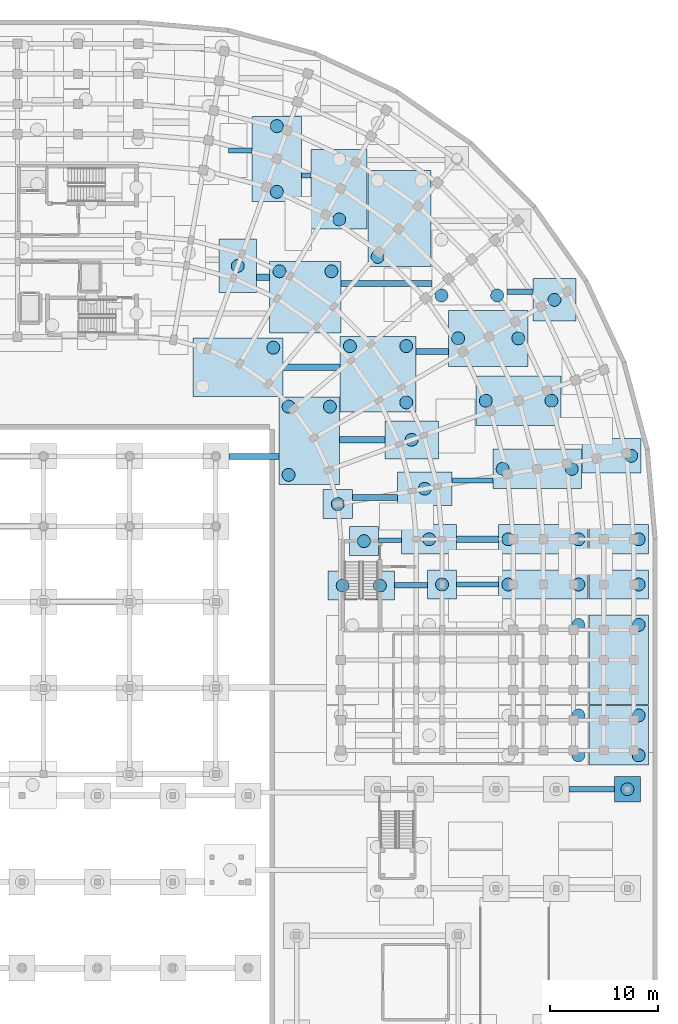
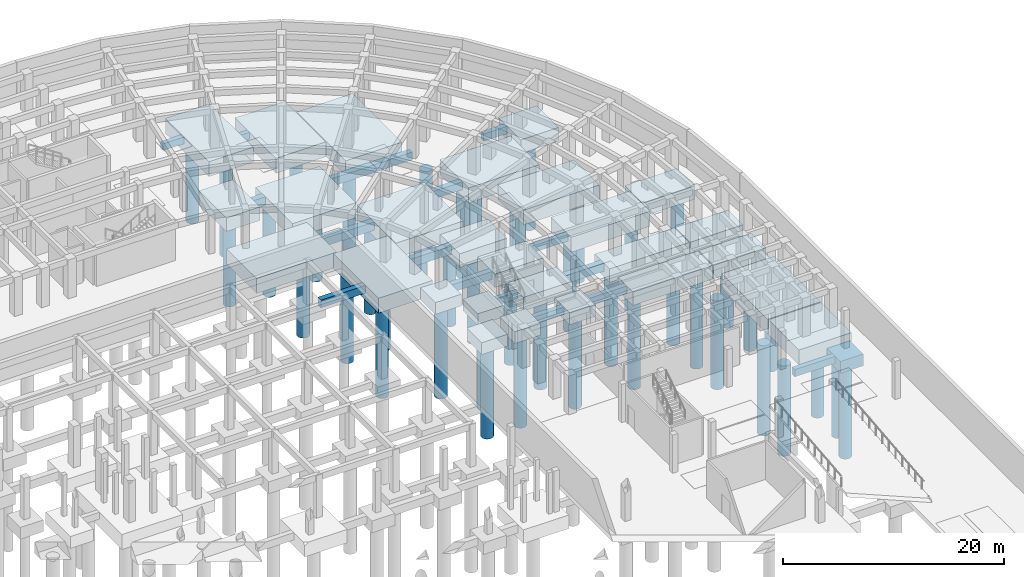
# One storey, part 11 of 53: 45 piles, 44 footings.
"""IFC4 building model written with IfcOpenShell, lengths in metres."""

from ifc_helpers import new_model, si_unit, direction, frame, origin, origin_2d, place, context, subcontext, project, spatial, rectangle, circle, extrude, material, material_profile, profile_set, type_object, element, save


model = new_model("IFC4")

# Units and contexts
model_context = context("Model", 3, precision=1e-05, world=origin(), true_north=direction((0.0, 1.0)))
body_context = subcontext(model_context, "Body", "Model", "MODEL_VIEW")
ifc_project = project(units=[si_unit("LENGTHUNIT", "METRE"), si_unit("AREAUNIT", "SQUARE_METRE"), si_unit("VOLUMEUNIT", "CUBIC_METRE"), si_unit("PLANEANGLEUNIT", "RADIAN"), si_unit("MASSUNIT", "GRAM", prefix="KILO")], contexts=[model_context])

# Site, building, storey
site_placement = place(None, origin())
site = spatial("IfcSite", under=ifc_project, at=site_placement, CompositionType="ELEMENT")
building_placement = place(site_placement, origin())
building = spatial("IfcBuilding", under=site, at=building_placement, Name="Kiranvali Square Residences", CompositionType="ELEMENT")
storey_placement = place(building_placement, frame((0.0, 0.0, -4.5)))
storey = spatial("IfcBuildingStorey", under=building, at=storey_placement, Name="B1", CompositionType="ELEMENT", Elevation=-4.5)

# Footings
ifc_material = material(Name="Concrete M40 (40 MPa)", Category="concrete")
footing_type_1 = type_object("IfcFootingType", Name="FTG-PILE_CAP-240x240x130", PredefinedType="PILE_CAP", material=ifc_material)
footing_1_placement = place(storey_placement, frame((165.199951171875, 64.60009765625, -1.7998046875), z_axis=(0.0, 0.0, 1.0), x_axis=(1.0, 0.0, 0.0)))
element("IfcFooting", 1, at=footing_1_placement, inside=storey, type_object=footing_type_1, Name="B1 pile cap 169", PredefinedType="PILE_CAP", context=body_context, shape_type="SweptSolid", body=[
    extrude(rectangle(XDim=2.39990234375, YDim=2.39990234375, at=origin_2d()), origin(), (0.0, 0.0, 1.0), 1.300048828125),
])
footing_type_2 = type_object("IfcFootingType", Name="FTG-PILE_CAP-270x270x130", PredefinedType="PILE_CAP", material=ifc_material)
for number, where, z_axis, x_axis, name in (
    (2, (138.77490234375, 83.5, -1.7998046875), (0.0, 0.0, 1.0), (1.0, 0.0, 0.0), "B1 pile cap 216"),
    (3, (142.22509765625, 83.5, -1.7998046875), (0.0, 0.0, 1.0), (1.0, 0.0, 0.0), "B1 pile cap 217"),
    (4, (148.0, 83.60009765625, -1.7998046875), (0.0, 0.0, 1.0), (1.0, 0.0, 0.0), "B1 pile cap 223"),
    (5, (140.75, 87.625, -1.7998046875), (0.0, 0.0, 1.0), (1.0, 0.0, 0.0), "B1 pile cap 230"),
    (6, (138.31396484375, 91.06494140625, -1.7998046875), (0.0, 0.0, 1.0), (1.0, 0.0, 0.0), "B1 pile cap 249"),
):
    element("IfcFooting", number, at=place(storey_placement, frame(where, z_axis=z_axis, x_axis=x_axis)), inside=storey, type_object=footing_type_2, Name=name, PredefinedType="PILE_CAP", context=body_context, shape_type="SweptSolid", body=[
        extrude(rectangle(XDim=2.699951171875, YDim=2.699951171875, at=origin_2d()), origin(), (0.0, 0.0, 1.0), 1.300048828125),
    ])
footing_type_3 = type_object("IfcFootingType", Name="FTG-PILE_CAP-395x395x150", PredefinedType="PILE_CAP", material=ifc_material)
footing_2_placement = place(storey_placement, frame((158.43310546875, 110.02490234375, -2.0), z_axis=(0.0, 0.0, 1.0), x_axis=(1.0, 0.0, 0.0)))
element("IfcFooting", 7, at=footing_2_placement, inside=storey, type_object=footing_type_3, Name="B1 pile cap 297", PredefinedType="PILE_CAP", context=body_context, shape_type="SweptSolid", body=[
    extrude(rectangle(XDim=3.949951171875, YDim=3.949951171875, at=origin_2d()), origin(), (0.0, 0.0, 1.0), 1.5),
])
footing_type_4 = type_object("IfcFootingType", Name="FTG-PILE_CAP-496x352x150", PredefinedType="PILE_CAP", material=ifc_material)
for number, where, z_axis, x_axis, name in (
    (8, (145.17138671875, 97.034423828125, -2.0), (0.0, 0.0, 1.0), (1.0, 0.0, 0.0), "B1 pile cap 270"),
    (9, (129.034423828125, 113.17138671875, -2.0), (0.0, 0.0, 1.0), (0.0, 1.0, 0.0), "B1 pile cap 303"),
):
    element("IfcFooting", number, at=place(storey_placement, frame(where, z_axis=z_axis, x_axis=x_axis)), inside=storey, type_object=footing_type_4, Name=name, PredefinedType="PILE_CAP", context=body_context, shape_type="SweptSolid", body=[
        extrude(rectangle(XDim=4.955078125, YDim=3.52099609375, at=origin_2d()), origin(), (0.0, 0.0, 1.0), 1.5),
    ])
footing_type_5 = type_object("IfcFootingType", Name="FTG-PILE_CAP-506x312x150", PredefinedType="PILE_CAP", material=ifc_material)
footing_3_placement = place(storey_placement, frame((146.389892578125, 92.488525390625, -2.0), z_axis=(0.0, 0.0, 1.0), x_axis=(1.0, 0.0, 0.0)))
element("IfcFooting", 10, at=footing_3_placement, inside=storey, type_object=footing_type_5, Name="B1 pile cap 251", PredefinedType="PILE_CAP", context=body_context, shape_type="SweptSolid", body=[
    extrude(rectangle(XDim=5.06396484375, YDim=3.116943359375, at=origin_2d()), origin(), (0.0, 0.0, 1.0), 1.5),
])
footing_type_6 = type_object("IfcFootingType", Name="FTG-PILE_CAP-510x270x150", PredefinedType="PILE_CAP", material=ifc_material)
footing_4_placement = place(storey_placement, frame((146.800048828125, 87.800048828125, -2.0), z_axis=(0.0, 0.0, 1.0), x_axis=(1.0, 0.0, 0.0)))
element("IfcFooting", 11, at=footing_4_placement, inside=storey, type_object=footing_type_6, Name="B1 pile cap 234", PredefinedType="PILE_CAP", context=body_context, shape_type="SweptSolid", body=[
    extrude(rectangle(XDim=5.10009765625, YDim=2.699951171875, at=origin_2d()), origin(), (0.0, 0.0, 1.0), 1.5),
])
footing_type_7 = type_object("IfcFootingType", Name="FTG-PILE_CAP-546x319x150", PredefinedType="PILE_CAP", material=ifc_material)
footing_5_placement = place(storey_placement, frame((163.722412109375, 95.544921875, -2.0), z_axis=(0.0, 0.0, 1.0), x_axis=(1.0, 0.0, 0.0)))
element("IfcFooting", 12, at=footing_5_placement, inside=storey, type_object=footing_type_7, Name="B1 pile cap 257", PredefinedType="PILE_CAP", context=body_context, shape_type="SweptSolid", body=[
    extrude(rectangle(XDim=5.45703125, YDim=3.18603515625, at=origin_2d()), origin(), (0.0, 0.0, 1.0), 1.5),
])
footing_type_8 = type_object("IfcFootingType", Name="FTG-PILE_CAP-550x270x150", PredefinedType="PILE_CAP", material=ifc_material)
for number, where, z_axis, x_axis, name in (
    (13, (164.39990234375, 83.60009765625, -2.0), (0.0, 0.0, 1.0), (1.0, 0.0, 0.0), "B1 pile cap 225"),
    (14, (164.39990234375, 87.800048828125, -2.0), (0.0, 0.0, 1.0), (1.0, 0.0, 0.0), "B1 pile cap 236"),
):
    element("IfcFooting", number, at=place(storey_placement, frame(where, z_axis=z_axis, x_axis=x_axis)), inside=storey, type_object=footing_type_8, Name=name, PredefinedType="PILE_CAP", context=body_context, shape_type="SweptSolid", body=[
        extrude(rectangle(XDim=5.5, YDim=2.699951171875, at=origin_2d()), origin(), (0.0, 0.0, 1.0), 1.5),
    ])
footing_type_9 = type_object("IfcFootingType", Name="FTG-PILE_CAP-550x550x165", PredefinedType="PILE_CAP", material=ifc_material)
footing_6_placement = place(storey_placement, frame((164.39990234375, 69.60009765625, -2.14990234375), z_axis=(0.0, 0.0, 1.0), x_axis=(1.0, 0.0, 0.0)))
element("IfcFooting", 15, at=footing_6_placement, inside=storey, type_object=footing_type_9, Name="B1 pile cap 178", PredefinedType="PILE_CAP", context=body_context, shape_type="SweptSolid", body=[
    extrude(rectangle(XDim=5.5, YDim=5.5, at=origin_2d()), origin(), (0.0, 0.0, 1.0), 1.64990234375),
])
footing_type_10 = type_object("IfcFootingType", Name="FTG-PILE_CAP-663x663x165", PredefinedType="PILE_CAP", material=ifc_material)
footing_7_placement = place(storey_placement, frame((135.3134765625, 110.256591796875, -2.14990234375), z_axis=(0.0, 0.0, 1.0), x_axis=(1.0, 0.0, 0.0)))
element("IfcFooting", 16, at=footing_7_placement, inside=storey, type_object=footing_type_10, Name="B1 pile cap 293", PredefinedType="PILE_CAP", context=body_context, shape_type="SweptSolid", body=[
    extrude(rectangle(XDim=6.631103515625, YDim=6.631103515625, at=origin_2d()), origin(), (0.0, 0.0, 1.0), 1.64990234375),
])
footing_type_11 = type_object("IfcFootingType", Name="FTG-PILE_CAP-703x703x165", PredefinedType="PILE_CAP", material=ifc_material)
footing_8_placement = place(storey_placement, frame((142.05859375, 103.115478515625, -2.14990234375), z_axis=(0.0, 0.0, 1.0), x_axis=(1.0, 0.0, 0.0)))
element("IfcFooting", 17, at=footing_8_placement, inside=storey, type_object=footing_type_11, Name="B1 pile cap 274", PredefinedType="PILE_CAP", context=body_context, shape_type="SweptSolid", body=[
    extrude(rectangle(XDim=7.027099609375, YDim=7.027099609375, at=origin_2d()), origin(), (0.0, 0.0, 1.0), 1.64990234375),
])
footing_type_12 = type_object("IfcFootingType", Name="FTG-PILE_CAP-738x520x165", PredefinedType="PILE_CAP", material=ifc_material)
footing_9_placement = place(storey_placement, frame((152.279052734375, 106.451904296875, -2.14990234375), z_axis=(0.0, 0.0, 1.0), x_axis=(1.0, 0.0, 0.0)))
element("IfcFooting", 18, at=footing_9_placement, inside=storey, type_object=footing_type_12, Name="B1 pile cap 285", PredefinedType="PILE_CAP", context=body_context, shape_type="SweptSolid", body=[
    extrude(rectangle(XDim=7.382080078125, YDim=5.2041015625, at=origin_2d()), origin(), (0.0, 0.0, 1.0), 1.64990234375),
])
footing_10_placement = place(storey_placement, frame((138.451904296875, 120.278564453125, -2.14990234375), z_axis=(0.0, 0.0, 1.0), x_axis=(0.0, 1.0, 0.0)))
element("IfcFooting", 19, at=footing_10_placement, inside=storey, type_object=footing_type_12, Name="B1 pile cap 320", PredefinedType="PILE_CAP", context=body_context, shape_type="SweptSolid", body=[
    extrude(rectangle(XDim=7.381103515625, YDim=5.2041015625, at=origin_2d()), origin(), (0.0, 0.0, 1.0), 1.64990234375),
])
footing_type_13 = type_object("IfcFootingType", Name="FTG-PILE_CAP-790x462x165", PredefinedType="PILE_CAP", material=ifc_material)
for number, where, z_axis, x_axis, name in (
    (20, (155.10009765625, 100.659912109375, -2.14990234375), (0.0, 0.0, 1.0), (1.0, 0.0, 0.0), "B1 pile cap 272"),
    (21, (132.659912109375, 123.10009765625, -2.14990234375), (0.0, 0.0, 1.0), (0.0, 1.0, 0.0), "B1 pile cap 326"),
):
    element("IfcFooting", number, at=place(storey_placement, frame(where, z_axis=z_axis, x_axis=x_axis)), inside=storey, type_object=footing_type_13, Name=name, PredefinedType="PILE_CAP", context=body_context, shape_type="SweptSolid", body=[
        extrude(rectangle(XDim=7.89794921875, YDim=4.615966796875, at=origin_2d()), origin(), (0.0, 0.0, 1.0), 1.64990234375),
    ])
footing_type_14 = type_object("IfcFootingType", Name="FTG-PILE_CAP-813x563x165", PredefinedType="PILE_CAP", material=ifc_material)
footing_11_placement = place(storey_placement, frame((135.66845703125, 96.946533203125, -2.14990234375), z_axis=(0.0, 0.0, 1.0), x_axis=(0.0, 1.0, 0.0)))
element("IfcFooting", 22, at=footing_11_placement, inside=storey, type_object=footing_type_14, Name="B1 pile cap 255", PredefinedType="PILE_CAP", context=body_context, shape_type="SweptSolid", body=[
    extrude(rectangle(XDim=8.133056640625, YDim=5.633056640625, at=origin_2d()), origin(), (0.0, 0.0, 1.0), 1.64990234375),
])
footing_type_15 = type_object("IfcFootingType", Name="FTG-PILE_CAP-821x367x165", PredefinedType="PILE_CAP", material=ifc_material)
footing_12_placement = place(storey_placement, frame((156.82861328125, 94.3291015625, -2.14990234375), z_axis=(0.0, 0.0, 1.0), x_axis=(1.0, 0.0, 0.0)))
element("IfcFooting", 23, at=footing_12_placement, inside=storey, type_object=footing_type_15, Name="B1 pile cap 253", PredefinedType="PILE_CAP", context=body_context, shape_type="SweptSolid", body=[
    extrude(rectangle(XDim=8.215087890625, YDim=3.672119140625, at=origin_2d()), origin(), (0.0, 0.0, 1.0), 1.64990234375),
])
footing_type_16 = type_object("IfcFootingType", Name="FTG-PILE_CAP-830x270x150", PredefinedType="PILE_CAP", material=ifc_material)
for number, where, z_axis, x_axis, name in (
    (24, (157.39990234375, 83.60009765625, -2.0), (0.0, 0.0, 1.0), (1.0, 0.0, 0.0), "B1 pile cap 224"),
    (25, (157.39990234375, 87.800048828125, -2.0), (0.0, 0.0, 1.0), (1.0, 0.0, 0.0), "B1 pile cap 235"),
):
    element("IfcFooting", number, at=place(storey_placement, frame(where, z_axis=z_axis, x_axis=x_axis)), inside=storey, type_object=footing_type_16, Name=name, PredefinedType="PILE_CAP", context=body_context, shape_type="SweptSolid", body=[
        extrude(rectangle(XDim=8.300048828125, YDim=2.699951171875, at=origin_2d()), origin(), (0.0, 0.0, 1.0), 1.5),
    ])
footing_type_17 = type_object("IfcFootingType", Name="FTG-PILE_CAP-830x550x165", PredefinedType="PILE_CAP", material=ifc_material)
footing_13_placement = place(storey_placement, frame((164.39990234375, 76.60009765625, -2.14990234375), z_axis=(0.0, 0.0, 1.0), x_axis=(0.0, 1.0, 0.0)))
element("IfcFooting", 26, at=footing_13_placement, inside=storey, type_object=footing_type_17, Name="B1 pile cap 195", PredefinedType="PILE_CAP", context=body_context, shape_type="SweptSolid", body=[
    extrude(rectangle(XDim=8.300048828125, YDim=5.5, at=origin_2d()), origin(), (0.0, 0.0, 1.0), 1.64990234375),
])
footing_type_18 = type_object("IfcFootingType", Name="FTG-PILE_CAP-835x541x165", PredefinedType="PILE_CAP", material=ifc_material)
footing_14_placement = place(storey_placement, frame((129.056884765625, 103.779052734375, -2.14990234375), z_axis=(0.0, 0.0, 1.0), x_axis=(1.0, 0.0, 0.0)))
element("IfcFooting", 27, at=footing_14_placement, inside=storey, type_object=footing_type_18, Name="B1 pile cap 276", PredefinedType="PILE_CAP", context=body_context, shape_type="SweptSolid", body=[
    extrude(rectangle(XDim=8.35400390625, YDim=5.412109375, at=origin_2d()), origin(), (0.0, 0.0, 1.0), 1.64990234375),
])
footing_type_19 = type_object("IfcFootingType", Name="FTG-PILE_CAP-890x587x165", PredefinedType="PILE_CAP", material=ifc_material)
footing_15_placement = place(storey_placement, frame((144.048583984375, 117.55908203125, -2.14990234375), z_axis=(0.0, 0.0, 1.0), x_axis=(0.0, 1.0, 0.0)))
element("IfcFooting", 28, at=footing_15_placement, inside=storey, type_object=footing_type_19, Name="B1 pile cap 316", PredefinedType="PILE_CAP", context=body_context, shape_type="SweptSolid", body=[
    extrude(rectangle(XDim=8.902099609375, YDim=5.868896484375, at=origin_2d()), origin(), (0.0, 0.0, 1.0), 1.64990234375),
])
ifc_material_profile_1 = material_profile(ifc_material, rectangle(XDim=0.449951171875, YDim=0.75, at=origin_2d()), Name="GB 450x750")
ifc_profile_set_1 = profile_set([ifc_material_profile_1], Name="Concrete M40 (40 MPa)")
footing_type_20 = type_object("IfcFootingType", Name="GB-M40-450x750", PredefinedType="FOOTING_BEAM", material=ifc_profile_set_1)
footing_16_placement = place(storey_placement, frame((142.10009765625, 87.71240234375, -0.875), z_axis=(1.0, 0.0, 0.0), x_axis=(0.0, 1.0, 0.0)))
element("IfcFooting", 29, at=footing_16_placement, inside=storey, type_object=footing_type_20, Name="Continuous foundation ground beam GB-172", PredefinedType="FOOTING_BEAM", context=body_context, shape_type="SweptSolid", body=[
    extrude(rectangle(XDim=0.449951171875, YDim=0.75, at=origin_2d()), origin(), (0.0, 0.0, 1.0), 2.14990234375),
])
footing_17_placement = place(storey_placement, frame((148.922119140625, 93.27001953125, -0.875), z_axis=(1.0, 0.0, 0.0), x_axis=(0.0, 1.0, 0.0)))
element("IfcFooting", 30, at=footing_17_placement, inside=storey, type_object=footing_type_20, Name="Continuous foundation ground beam GB-188", PredefinedType="FOOTING_BEAM", context=body_context, shape_type="SweptSolid", body=[
    extrude(rectangle(XDim=0.449951171875, YDim=0.75, at=origin_2d()), origin(), (0.0, 0.0, 1.0), 3.798828125),
])
footing_18_placement = place(storey_placement, frame((134.968017578125, 121.56005859375, -0.875), z_axis=(1.0, 0.0, 0.0), x_axis=(0.0, 1.0, 0.0)))
element("IfcFooting", 31, at=footing_18_placement, inside=storey, type_object=footing_type_20, Name="Continuous foundation ground beam GB-244", PredefinedType="FOOTING_BEAM", context=body_context, shape_type="SweptSolid", body=[
    extrude(rectangle(XDim=0.449951171875, YDim=0.75, at=origin_2d()), origin(), (0.0, 0.0, 1.0), 0.882080078125),
])
footing_19_placement = place(storey_placement, frame((128.1650390625, 123.885009765625, -0.875), z_axis=(1.0, 0.0, 0.0), x_axis=(0.0, 1.0, 0.0)))
element("IfcFooting", 32, at=footing_19_placement, inside=storey, type_object=footing_type_20, Name="Continuous foundation ground beam GB-248", PredefinedType="FOOTING_BEAM", context=body_context, shape_type="SweptSolid", body=[
    extrude(rectangle(XDim=0.449951171875, YDim=0.75, at=origin_2d()), origin(), (0.0, 0.0, 1.0), 2.18701171875),
])
ifc_material_profile_2 = material_profile(ifc_material, rectangle(XDim=0.5, YDim=0.800048828125, at=origin_2d()), Name="GB 500x800")
ifc_profile_set_2 = profile_set([ifc_material_profile_2], Name="Concrete M40 (40 MPa)")
footing_type_21 = type_object("IfcFootingType", Name="GB-M40-500x800", PredefinedType="FOOTING_BEAM", material=ifc_profile_set_2)
footing_20_placement = place(storey_placement, frame((159.800048828125, 64.60009765625, -0.89990234375), z_axis=(1.0, 0.0, 0.0), x_axis=(0.0, 1.0, 0.0)))
element("IfcFooting", 33, at=footing_20_placement, inside=storey, type_object=footing_type_21, Name="Continuous foundation ground beam GB-133", PredefinedType="FOOTING_BEAM", context=body_context, shape_type="SweptSolid", body=[
    extrude(rectangle(XDim=0.5, YDim=0.800048828125, at=origin_2d()), origin(), (0.0, 0.0, 1.0), 4.199951171875),
])
footing_21_placement = place(storey_placement, frame((143.574951171875, 83.550048828125, -0.89990234375), z_axis=(1.0, 0.0, 0.0), x_axis=(0.0, 1.0, 0.0)))
element("IfcFooting", 34, at=footing_21_placement, inside=storey, type_object=footing_type_21, Name="Continuous foundation ground beam GB-165", PredefinedType="FOOTING_BEAM", context=body_context, shape_type="SweptSolid", body=[
    extrude(rectangle(XDim=0.5, YDim=0.800048828125, at=origin_2d()), origin(), (0.0, 0.0, 1.0), 3.074951171875),
])
footing_22_placement = place(storey_placement, frame((149.35009765625, 83.60009765625, -0.89990234375), z_axis=(1.0, 0.0, 0.0), x_axis=(0.0, 1.0, 0.0)))
element("IfcFooting", 35, at=footing_22_placement, inside=storey, type_object=footing_type_21, Name="Continuous foundation ground beam GB-169", PredefinedType="FOOTING_BEAM", context=body_context, shape_type="SweptSolid", body=[
    extrude(rectangle(XDim=0.5, YDim=0.800048828125, at=origin_2d()), origin(), (0.0, 0.0, 1.0), 3.89990234375),
])
footing_23_placement = place(storey_placement, frame((154.010986328125, 110.76611328125, -0.89990234375), z_axis=(1.0, 0.0, 0.0), x_axis=(0.0, 1.0, 0.0)))
element("IfcFooting", 36, at=footing_23_placement, inside=storey, type_object=footing_type_21, Name="Continuous foundation ground beam GB-225", PredefinedType="FOOTING_BEAM", context=body_context, shape_type="SweptSolid", body=[
    extrude(rectangle(XDim=0.5, YDim=0.800048828125, at=origin_2d()), origin(), (0.0, 0.0, 1.0), 2.447021484375),
])
ifc_material_profile_3 = material_profile(ifc_material, rectangle(XDim=0.550048828125, YDim=0.85009765625, at=origin_2d()), Name="GB 550x850")
ifc_profile_set_3 = profile_set([ifc_material_profile_3], Name="Concrete M40 (40 MPa)")
footing_type_22 = type_object("IfcFootingType", Name="GB-M40-550x850", PredefinedType="FOOTING_BEAM", material=ifc_profile_set_3)
footing_24_placement = place(storey_placement, frame((139.6640625, 91.672607421875, -0.925048828125), z_axis=(1.0, 0.0, 0.0), x_axis=(0.0, 1.0, 0.0)))
element("IfcFooting", 37, at=footing_24_placement, inside=storey, type_object=footing_type_22, Name="Continuous foundation ground beam GB-186", PredefinedType="FOOTING_BEAM", context=body_context, shape_type="SweptSolid", body=[
    extrude(rectangle(XDim=0.550048828125, YDim=0.85009765625, at=origin_2d()), origin(), (0.0, 0.0, 1.0), 4.19384765625),
])
footing_25_placement = place(storey_placement, frame((128.199951171875, 95.5, -0.925048828125), z_axis=(1.0, 0.0, 0.0), x_axis=(0.0, 1.0, 0.0)))
element("IfcFooting", 38, at=footing_25_placement, inside=storey, type_object=footing_type_22, Name="Continuous foundation ground beam GB-202", PredefinedType="FOOTING_BEAM", context=body_context, shape_type="SweptSolid", body=[
    extrude(rectangle(XDim=0.550048828125, YDim=0.85009765625, at=origin_2d()), origin(), (0.0, 0.0, 1.0), 4.652099609375),
])
footing_26_placement = place(storey_placement, frame((145.572021484375, 105.239501953125, -0.925048828125), z_axis=(1.0, 0.0, 0.0), x_axis=(0.0, 1.0, 0.0)))
element("IfcFooting", 39, at=footing_26_placement, inside=storey, type_object=footing_type_22, Name="Continuous foundation ground beam GB-206", PredefinedType="FOOTING_BEAM", context=body_context, shape_type="SweptSolid", body=[
    extrude(rectangle(XDim=0.550048828125, YDim=0.85009765625, at=origin_2d()), origin(), (0.0, 0.0, 1.0), 3.015869140625),
])
footing_27_placement = place(storey_placement, frame((138.62890625, 111.552001953125, -0.925048828125), z_axis=(1.0, 0.0, 0.0), x_axis=(0.0, 1.0, 0.0)))
element("IfcFooting", 40, at=footing_27_placement, inside=storey, type_object=footing_type_22, Name="Continuous foundation ground beam GB-218", PredefinedType="FOOTING_BEAM", context=body_context, shape_type="SweptSolid", body=[
    extrude(rectangle(XDim=0.550048828125, YDim=0.85009765625, at=origin_2d()), origin(), (0.0, 0.0, 1.0), 8.4140625),
])
ifc_material_profile_4 = material_profile(ifc_material, rectangle(XDim=0.60009765625, YDim=0.89990234375, at=origin_2d()), Name="GB 600x900")
ifc_profile_set_4 = profile_set([ifc_material_profile_4], Name="Concrete M40 (40 MPa)")
footing_type_23 = type_object("IfcFootingType", Name="GB-M40-600x900", PredefinedType="FOOTING_BEAM", material=ifc_profile_set_4)
footing_28_placement = place(storey_placement, frame((149.35009765625, 87.800048828125, -0.949951171875), z_axis=(1.0, 0.0, 0.0), x_axis=(0.0, 1.0, 0.0)))
element("IfcFooting", 41, at=footing_28_placement, inside=storey, type_object=footing_type_23, Name="Continuous foundation ground beam GB-175", PredefinedType="FOOTING_BEAM", context=body_context, shape_type="SweptSolid", body=[
    extrude(rectangle(XDim=0.60009765625, YDim=0.89990234375, at=origin_2d()), origin(), (0.0, 0.0, 1.0), 3.89990234375),
])
footing_29_placement = place(storey_placement, frame((138.485107421875, 97.034423828125, -0.949951171875), z_axis=(1.0, 0.0, 0.0), x_axis=(0.0, 1.0, 0.0)))
element("IfcFooting", 42, at=footing_29_placement, inside=storey, type_object=footing_type_23, Name="Continuous foundation ground beam GB-191", PredefinedType="FOOTING_BEAM", context=body_context, shape_type="SweptSolid", body=[
    extrude(rectangle(XDim=0.60009765625, YDim=0.89990234375, at=origin_2d()), origin(), (0.0, 0.0, 1.0), 4.208984375),
])
footing_30_placement = place(storey_placement, frame((133.23388671875, 103.779052734375, -0.949951171875), z_axis=(1.0, 0.0, 0.0), x_axis=(0.0, 1.0, 0.0)))
element("IfcFooting", 43, at=footing_30_placement, inside=storey, type_object=footing_type_23, Name="Continuous foundation ground beam GB-207", PredefinedType="FOOTING_BEAM", context=body_context, shape_type="SweptSolid", body=[
    extrude(rectangle(XDim=0.60009765625, YDim=0.89990234375, at=origin_2d()), origin(), (0.0, 0.0, 1.0), 5.31103515625),
])
footing_31_placement = place(storey_placement, frame((130.794921875, 112.133056640625, -0.949951171875), z_axis=(1.0, 0.0, 0.0), x_axis=(0.0, 1.0, 0.0)))
element("IfcFooting", 44, at=footing_31_placement, inside=storey, type_object=footing_type_23, Name="Continuous foundation ground beam GB-227", PredefinedType="FOOTING_BEAM", context=body_context, shape_type="SweptSolid", body=[
    extrude(rectangle(XDim=0.60009765625, YDim=0.89990234375, at=origin_2d()), origin(), (0.0, 0.0, 1.0), 1.203125),
])

# Piles
ifc_material_profile_5 = material_profile(ifc_material, circle(Radius=0.60009765625, at=origin_2d()), Name="BORED PILE 1200")
ifc_profile_set_5 = profile_set([ifc_material_profile_5], Name="Concrete M40 (40 MPa)")
pile_type = type_object("IfcPileType", Name="PILE-BORED-1200", PredefinedType="BORED", material=ifc_profile_set_5)
pile_1_placement = place(storey_placement, frame((165.199951171875, 64.60009765625, -1.699951171875), z_axis=(0.0, 0.0, -1.0), x_axis=(1.0, 0.0, 0.0)))
element("IfcPile", 45, at=pile_1_placement, inside=storey, type_object=pile_type, Name="Bored basalt-socketed pile P-0229", PredefinedType="BORED", context=body_context, shape_type="SweptSolid", body=[
    extrude(circle(Radius=0.60009765625, at=origin_2d()), origin(), (0.0, 0.0, 1.0), 10.300048828125),
])
for number, where, z_axis, x_axis, name in (
    (46, (160.64990234375, 67.75, -2.050048828125), (0.0, 0.0, -1.0), (1.0, 0.0, 0.0), "Bored basalt-socketed pile P-0240"),
    (47, (160.64990234375, 71.449951171875, -2.050048828125), (0.0, 0.0, -1.0), (1.0, 0.0, 0.0), "Bored basalt-socketed pile P-0241"),
    (48, (166.25, 67.75, -2.050048828125), (0.0, 0.0, -1.0), (1.0, 0.0, 0.0), "Bored basalt-socketed pile P-0242"),
    (49, (166.25, 71.449951171875, -2.050048828125), (0.0, 0.0, -1.0), (1.0, 0.0, 0.0), "Bored basalt-socketed pile P-0243"),
):
    element("IfcPile", number, at=place(storey_placement, frame(where, z_axis=z_axis, x_axis=x_axis)), inside=storey, type_object=pile_type, Name=name, PredefinedType="BORED", context=body_context, shape_type="SweptSolid", body=[
        extrude(circle(Radius=0.60009765625, at=origin_2d()), origin(), (0.0, 0.0, 1.0), 9.949951171875),
    ])
pile_2_placement = place(storey_placement, frame((160.64990234375, 79.85009765625, -2.199951171875), z_axis=(0.0, 0.0, -1.0), x_axis=(1.0, 0.0, 0.0)))
element("IfcPile", 50, at=pile_2_placement, inside=storey, type_object=pile_type, Name="Bored basalt-socketed pile P-0274", PredefinedType="BORED", context=body_context, shape_type="SweptSolid", body=[
    extrude(circle(Radius=0.60009765625, at=origin_2d()), origin(), (0.0, 0.0, 1.0), 9.800048828125),
])
pile_3_placement = place(storey_placement, frame((166.25, 79.85009765625, -2.050048828125), z_axis=(0.0, 0.0, -1.0), x_axis=(1.0, 0.0, 0.0)))
element("IfcPile", 51, at=pile_3_placement, inside=storey, type_object=pile_type, Name="Bored basalt-socketed pile P-0275", PredefinedType="BORED", context=body_context, shape_type="SweptSolid", body=[
    extrude(circle(Radius=0.60009765625, at=origin_2d()), origin(), (0.0, 0.0, 1.0), 9.949951171875),
])
for number, where, z_axis, x_axis, name in (
    (52, (138.77490234375, 83.5, -1.699951171875), (0.0, 0.0, -1.0), (1.0, 0.0, 0.0), "Bored basalt-socketed pile P-0299"),
    (53, (142.22509765625, 83.5, -1.699951171875), (0.0, 0.0, -1.0), (1.0, 0.0, 0.0), "Bored basalt-socketed pile P-0300"),
    (54, (148.0, 83.60009765625, -1.699951171875), (0.0, 0.0, -1.0), (1.0, 0.0, 0.0), "Bored basalt-socketed pile P-0307"),
):
    element("IfcPile", number, at=place(storey_placement, frame(where, z_axis=z_axis, x_axis=x_axis)), inside=storey, type_object=pile_type, Name=name, PredefinedType="BORED", context=body_context, shape_type="SweptSolid", body=[
        extrude(circle(Radius=0.60009765625, at=origin_2d()), origin(), (0.0, 0.0, 1.0), 10.300048828125),
    ])
for number, where, z_axis, x_axis, name in (
    (55, (154.14990234375, 83.60009765625, -1.89990234375), (0.0, 0.0, -1.0), (1.0, 0.0, 0.0), "Bored basalt-socketed pile P-0308"),
    (56, (160.64990234375, 83.60009765625, -1.89990234375), (0.0, 0.0, -1.0), (1.0, 0.0, 0.0), "Bored basalt-socketed pile P-0309"),
    (57, (166.25, 83.60009765625, -1.89990234375), (0.0, 0.0, -1.0), (1.0, 0.0, 0.0), "Bored basalt-socketed pile P-0310"),
):
    element("IfcPile", number, at=place(storey_placement, frame(where, z_axis=z_axis, x_axis=x_axis)), inside=storey, type_object=pile_type, Name=name, PredefinedType="BORED", context=body_context, shape_type="SweptSolid", body=[
        extrude(circle(Radius=0.60009765625, at=origin_2d()), origin(), (0.0, 0.0, 1.0), 10.10009765625),
    ])
pile_4_placement = place(storey_placement, frame((140.75, 87.625, -1.699951171875), z_axis=(0.0, 0.0, -1.0), x_axis=(1.0, 0.0, 0.0)))
element("IfcPile", 58, at=pile_4_placement, inside=storey, type_object=pile_type, Name="Bored basalt-socketed pile P-0314", PredefinedType="BORED", context=body_context, shape_type="SweptSolid", body=[
    extrude(circle(Radius=0.60009765625, at=origin_2d()), origin(), (0.0, 0.0, 1.0), 10.300048828125),
])
for number, where, z_axis, x_axis, name in (
    (59, (146.800048828125, 87.800048828125, -1.89990234375), (0.0, 0.0, -1.0), (1.0, 0.0, 0.0), "Bored basalt-socketed pile P-0319"),
    (60, (154.14990234375, 87.800048828125, -1.89990234375), (0.0, 0.0, -1.0), (1.0, 0.0, 0.0), "Bored basalt-socketed pile P-0320"),
    (61, (160.64990234375, 87.800048828125, -1.89990234375), (0.0, 0.0, -1.0), (1.0, 0.0, 0.0), "Bored basalt-socketed pile P-0321"),
    (62, (166.25, 87.800048828125, -1.89990234375), (0.0, 0.0, -1.0), (1.0, 0.0, 0.0), "Bored basalt-socketed pile P-0322"),
):
    element("IfcPile", number, at=place(storey_placement, frame(where, z_axis=z_axis, x_axis=x_axis)), inside=storey, type_object=pile_type, Name=name, PredefinedType="BORED", context=body_context, shape_type="SweptSolid", body=[
        extrude(circle(Radius=0.60009765625, at=origin_2d()), origin(), (0.0, 0.0, 1.0), 10.10009765625),
    ])
pile_5_placement = place(storey_placement, frame((138.31396484375, 91.06494140625, -1.699951171875), z_axis=(0.0, 0.0, -1.0), x_axis=(1.0, 0.0, 0.0)))
element("IfcPile", 63, at=pile_5_placement, inside=storey, type_object=pile_type, Name="Bored basalt-socketed pile P-0335", PredefinedType="BORED", context=body_context, shape_type="SweptSolid", body=[
    extrude(circle(Radius=0.60009765625, at=origin_2d()), origin(), (0.0, 0.0, 1.0), 10.300048828125),
])
pile_6_placement = place(storey_placement, frame((146.389892578125, 92.488525390625, -1.89990234375), z_axis=(0.0, 0.0, -1.0), x_axis=(1.0, 0.0, 0.0)))
element("IfcPile", 64, at=pile_6_placement, inside=storey, type_object=pile_type, Name="Bored basalt-socketed pile P-0337", PredefinedType="BORED", context=body_context, shape_type="SweptSolid", body=[
    extrude(circle(Radius=0.60009765625, at=origin_2d()), origin(), (0.0, 0.0, 1.0), 10.10009765625),
])
for number, where, z_axis, x_axis, name in (
    (65, (153.62109375, 94.3291015625, -2.050048828125), (0.0, 0.0, -1.0), (1.0, 0.0, 0.0), "Bored basalt-socketed pile P-0340"),
    (66, (160.035888671875, 94.3291015625, -2.050048828125), (0.0, 0.0, -1.0), (1.0, 0.0, 0.0), "Bored basalt-socketed pile P-0341"),
    (67, (133.751953125, 93.780029296875, -2.050048828125), (0.0, 0.0, -1.0), (1.0, 0.0, 0.0), "Bored basalt-socketed pile P-0345"),
    (68, (133.751953125, 100.113037109375, -2.050048828125), (0.0, 0.0, -1.0), (1.0, 0.0, 0.0), "Bored basalt-socketed pile P-0346"),
    (69, (137.5849609375, 100.113037109375, -2.050048828125), (0.0, 0.0, -1.0), (1.0, 0.0, 0.0), "Bored basalt-socketed pile P-0347"),
):
    element("IfcPile", number, at=place(storey_placement, frame(where, z_axis=z_axis, x_axis=x_axis)), inside=storey, type_object=pile_type, Name=name, PredefinedType="BORED", context=body_context, shape_type="SweptSolid", body=[
        extrude(circle(Radius=0.60009765625, at=origin_2d()), origin(), (0.0, 0.0, 1.0), 9.949951171875),
    ])
for number, where, z_axis, x_axis, name in (
    (70, (165.551025390625, 95.544921875, -1.89990234375), (0.0, 0.0, -1.0), (1.0, 0.0, 0.0), "Bored basalt-socketed pile P-0349"),
    (71, (145.17138671875, 97.034423828125, -1.89990234375), (0.0, 0.0, -1.0), (1.0, 0.0, 0.0), "Bored basalt-socketed pile P-0362"),
):
    element("IfcPile", number, at=place(storey_placement, frame(where, z_axis=z_axis, x_axis=x_axis)), inside=storey, type_object=pile_type, Name=name, PredefinedType="BORED", context=body_context, shape_type="SweptSolid", body=[
        extrude(circle(Radius=0.60009765625, at=origin_2d()), origin(), (0.0, 0.0, 1.0), 10.10009765625),
    ])
for number, where, z_axis, x_axis, name in (
    (72, (152.051025390625, 100.659912109375, -2.050048828125), (0.0, 0.0, -1.0), (1.0, 0.0, 0.0), "Bored basalt-socketed pile P-0365"),
    (73, (158.14892578125, 100.659912109375, -2.050048828125), (0.0, 0.0, -1.0), (1.0, 0.0, 0.0), "Bored basalt-socketed pile P-0366"),
    (74, (139.445068359375, 105.72900390625, -2.050048828125), (0.0, 0.0, -1.0), (1.0, 0.0, 0.0), "Bored basalt-socketed pile P-0370"),
    (75, (144.672119140625, 100.501953125, -2.050048828125), (0.0, 0.0, -1.0), (1.0, 0.0, 0.0), "Bored basalt-socketed pile P-0371"),
    (76, (144.672119140625, 105.72900390625, -2.050048828125), (0.0, 0.0, -1.0), (1.0, 0.0, 0.0), "Bored basalt-socketed pile P-0372"),
    (77, (132.333984375, 105.5849609375, -2.050048828125), (0.0, 0.0, -1.0), (1.0, 0.0, 0.0), "Bored basalt-socketed pile P-0378"),
    (78, (149.488037109375, 106.451904296875, -2.050048828125), (0.0, 0.0, -1.0), (1.0, 0.0, 0.0), "Bored basalt-socketed pile P-0390"),
    (79, (155.070068359375, 106.451904296875, -2.050048828125), (0.0, 0.0, -1.0), (1.0, 0.0, 0.0), "Bored basalt-socketed pile P-0391"),
    (80, (132.89794921875, 112.672119140625, -2.050048828125), (0.0, 0.0, -1.0), (1.0, 0.0, 0.0), "Bored basalt-socketed pile P-0398"),
    (81, (137.72900390625, 112.672119140625, -2.050048828125), (0.0, 0.0, -1.0), (1.0, 0.0, 0.0), "Bored basalt-socketed pile P-0399"),
):
    element("IfcPile", number, at=place(storey_placement, frame(where, z_axis=z_axis, x_axis=x_axis)), inside=storey, type_object=pile_type, Name=name, PredefinedType="BORED", context=body_context, shape_type="SweptSolid", body=[
        extrude(circle(Radius=0.60009765625, at=origin_2d()), origin(), (0.0, 0.0, 1.0), 9.949951171875),
    ])
pile_7_placement = place(storey_placement, frame((158.43310546875, 110.02490234375, -1.89990234375), z_axis=(0.0, 0.0, -1.0), x_axis=(1.0, 0.0, 0.0)))
element("IfcPile", 82, at=pile_7_placement, inside=storey, type_object=pile_type, Name="Bored basalt-socketed pile P-0403", PredefinedType="BORED", context=body_context, shape_type="SweptSolid", body=[
    extrude(circle(Radius=0.60009765625, at=origin_2d()), origin(), (0.0, 0.0, 1.0), 10.10009765625),
])
for number, where, z_axis, x_axis, name in (
    (83, (147.943115234375, 110.431884765625, -2.050048828125), (0.0, 0.0, -1.0), (1.0, 0.0, 0.0), "Bored basalt-socketed pile P-0410"),
    (84, (153.111083984375, 110.431884765625, -2.050048828125), (0.0, 0.0, -1.0), (1.0, 0.0, 0.0), "Bored basalt-socketed pile P-0412"),
):
    element("IfcPile", number, at=place(storey_placement, frame(where, z_axis=z_axis, x_axis=x_axis)), inside=storey, type_object=pile_type, Name=name, PredefinedType="BORED", context=body_context, shape_type="SweptSolid", body=[
        extrude(circle(Radius=0.60009765625, at=origin_2d()), origin(), (0.0, 0.0, 1.0), 9.949951171875),
    ])
pile_8_placement = place(storey_placement, frame((129.034423828125, 113.17138671875, -1.89990234375), z_axis=(0.0, 0.0, -1.0), x_axis=(1.0, 0.0, 0.0)))
element("IfcPile", 85, at=pile_8_placement, inside=storey, type_object=pile_type, Name="Bored basalt-socketed pile P-0415", PredefinedType="BORED", context=body_context, shape_type="SweptSolid", body=[
    extrude(circle(Radius=0.60009765625, at=origin_2d()), origin(), (0.0, 0.0, 1.0), 10.10009765625),
])
for number, where, z_axis, x_axis, name in (
    (86, (142.013916015625, 114.008056640625, -2.050048828125), (0.0, 0.0, -1.0), (1.0, 0.0, 0.0), "Bored basalt-socketed pile P-0432"),
    (87, (138.451904296875, 117.488037109375, -2.050048828125), (0.0, 0.0, -1.0), (1.0, 0.0, 0.0), "Bored basalt-socketed pile P-0437"),
    (88, (132.659912109375, 120.051025390625, -2.050048828125), (0.0, 0.0, -1.0), (1.0, 0.0, 0.0), "Bored basalt-socketed pile P-0445"),
    (89, (132.659912109375, 126.14892578125, -2.050048828125), (0.0, 0.0, -1.0), (1.0, 0.0, 0.0), "Bored basalt-socketed pile P-0446"),
):
    element("IfcPile", number, at=place(storey_placement, frame(where, z_axis=z_axis, x_axis=x_axis)), inside=storey, type_object=pile_type, Name=name, PredefinedType="BORED", context=body_context, shape_type="SweptSolid", body=[
        extrude(circle(Radius=0.60009765625, at=origin_2d()), origin(), (0.0, 0.0, 1.0), 9.949951171875),
    ])

save(model, "model.ifc")
